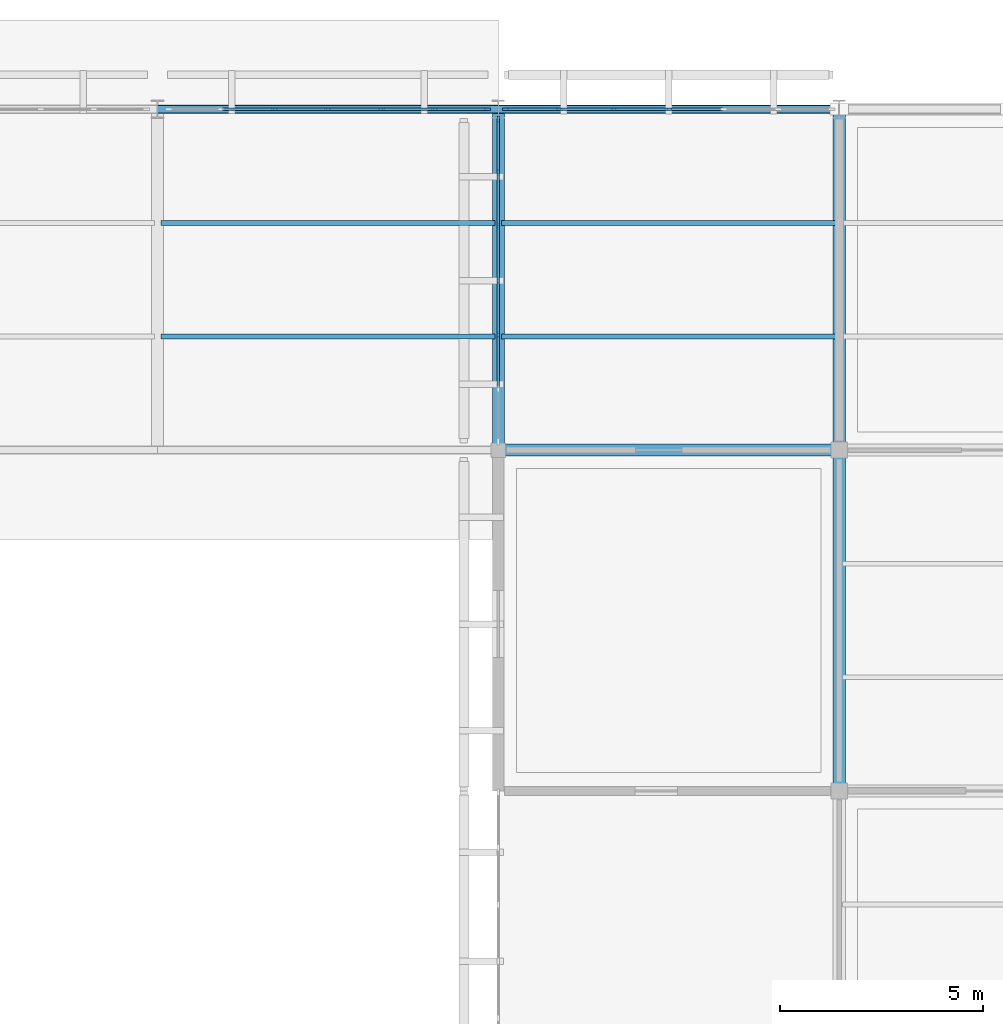
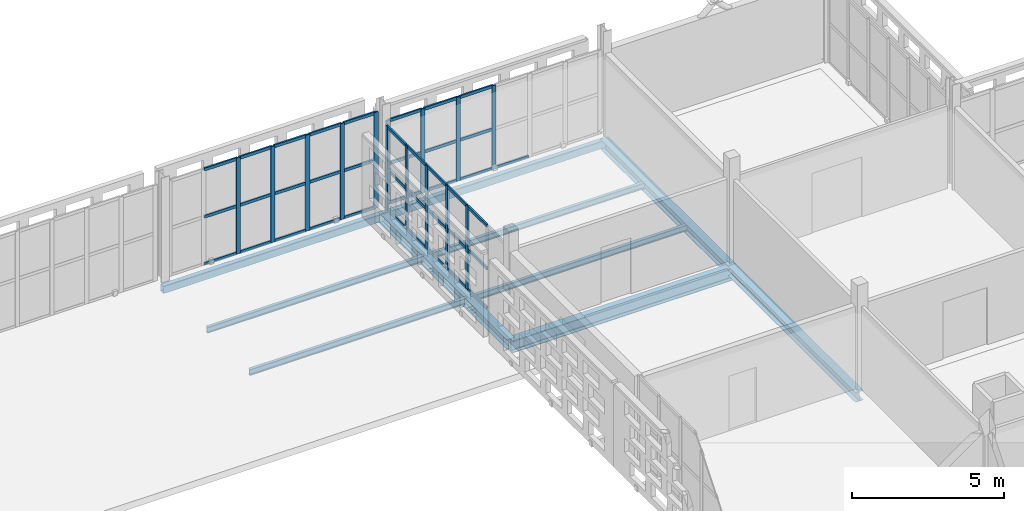
# One storey, part 54 of 166: 54 members, 10 beams, 3 elements without a shape of their own.
"""IFC4 building model written with IfcOpenShell, lengths in metres."""

from ifc_helpers import new_model, si_unit, direction, frame, origin, origin_2d, place, context, subcontext, project, spatial, rectangle, hollow_rectangle, i_section, extrude, material, layer, layer_set, material_profile, profile_set, type_object, element, aggregate, save


model = new_model("IFC4")

# Units and contexts
model_context = context("Model", 3, precision=1e-05, world=origin(), true_north=direction((0.0, 1.0)))
body_context = subcontext(model_context, "Body", "Model", "MODEL_VIEW")
ifc_project = project(units=[si_unit("LENGTHUNIT", "METRE"), si_unit("AREAUNIT", "SQUARE_METRE"), si_unit("VOLUMEUNIT", "CUBIC_METRE"), si_unit("PLANEANGLEUNIT", "RADIAN"), si_unit("MASSUNIT", "GRAM", prefix="KILO")], contexts=[model_context])

# Site, building, storey
site_placement = place(None, origin())
site = spatial("IfcSite", under=ifc_project, at=site_placement, CompositionType="ELEMENT")
building_placement = place(site_placement, origin())
building = spatial("IfcBuilding", under=site, at=building_placement, Name="Varnapada Polytechnic", CompositionType="ELEMENT")
storey_placement = place(building_placement, frame((0.0, 0.0, 9.60009765625)))
storey = spatial("IfcBuildingStorey", under=building, at=storey_placement, Name="L02", CompositionType="ELEMENT", Elevation=9.60009765625)

# Curtain wall, members
ifc_material_1 = material(Name="Double low-E laminated glass", Category="glass")
ifc_layer = layer(ifc_material_1, 0.159912109375)
ifc_layer_set = layer_set([ifc_layer], Name="Double low-E laminated glass")
curtain_wall_type = type_object("IfcCurtainWallType", Name="Curtain Wall CW-02", PredefinedType="NOTDEFINED", material=ifc_layer_set)
curtain_wall_1_placement = place(storey_placement, origin())
curtain_wall_1 = element("IfcCurtainWall", 1, at=curtain_wall_1_placement, inside=storey, type_object=curtain_wall_type, Name="L02 unitised curtain wall CW-02 (178)", PredefinedType="NOTDEFINED")
ifc_material_2 = material(Name="Anodised aluminium", Category="aluminium")
ifc_material_profile_1 = material_profile(ifc_material_2, rectangle(XDim=0.06005859375, YDim=0.159912109375, at=origin_2d()), Name="ALU M60x160")
ifc_profile_set_1 = profile_set([ifc_material_profile_1], Name="Anodised aluminium")
member_type_1 = type_object("IfcMemberType", Name="Mullion M-01", PredefinedType="MULLION", material=ifc_profile_set_1)
member_1_placement = place(storey_placement, frame((117.780029296875, 126.0, 0.0), z_axis=(0.0, 0.0, 1.0), x_axis=(0.0, 1.0, 0.0)))
member_1 = element("IfcMember", 2, at=member_1_placement, type_object=member_type_1, Name="CW-02 mullion 1", PredefinedType="MULLION", context=body_context, shape_type="SweptSolid", body=[
    extrude(rectangle(XDim=0.06005859375, YDim=0.159912109375, at=origin_2d()), origin(), (0.0, 0.0, 1.0), 3.35986328125),
])
member_2_placement = place(storey_placement, frame((119.10009765625, 126.0, 0.0), z_axis=(0.0, 0.0, 1.0), x_axis=(0.0, 1.0, 0.0)))
member_2 = element("IfcMember", 3, at=member_2_placement, type_object=member_type_1, Name="CW-02 mullion 2", PredefinedType="MULLION", context=body_context, shape_type="SweptSolid", body=[
    extrude(rectangle(XDim=0.06005859375, YDim=0.159912109375, at=origin_2d()), origin(), (0.0, 0.0, 1.0), 3.35986328125),
])
member_3_placement = place(storey_placement, frame((120.449951171875, 126.0, 0.0), z_axis=(0.0, 0.0, 1.0), x_axis=(0.0, 1.0, 0.0)))
member_3 = element("IfcMember", 4, at=member_3_placement, type_object=member_type_1, Name="CW-02 mullion 3", PredefinedType="MULLION", context=body_context, shape_type="SweptSolid", body=[
    extrude(rectangle(XDim=0.06005859375, YDim=0.159912109375, at=origin_2d()), origin(), (0.0, 0.0, 1.0), 3.35986328125),
])
member_4_placement = place(storey_placement, frame((121.800048828125, 126.0, 0.0), z_axis=(0.0, 0.0, 1.0), x_axis=(0.0, 1.0, 0.0)))
member_4 = element("IfcMember", 5, at=member_4_placement, type_object=member_type_1, Name="CW-02 mullion 4", PredefinedType="MULLION", context=body_context, shape_type="SweptSolid", body=[
    extrude(rectangle(XDim=0.06005859375, YDim=0.159912109375, at=origin_2d()), origin(), (0.0, 0.0, 1.0), 3.35986328125),
])

curtain_wall_2_placement = place(storey_placement, origin())
curtain_wall_2 = element("IfcCurtainWall", 6, at=curtain_wall_2_placement, inside=storey, type_object=curtain_wall_type, Name="L02 unitised curtain wall CW-02 (179)", PredefinedType="NOTDEFINED")
member_5_placement = place(storey_placement, frame((117.60009765625, 120.445068359375, 0.0), z_axis=(0.0, 0.0, 1.0), x_axis=(-1.0, 0.0, 0.0)))
member_5 = element("IfcMember", 7, at=member_5_placement, type_object=member_type_1, Name="CW-02 mullion 3", PredefinedType="MULLION", context=body_context, shape_type="SweptSolid", body=[
    extrude(rectangle(XDim=0.06005859375, YDim=0.159912109375, at=origin_2d()), origin(), (0.0, 0.0, 1.0), 3.35986328125),
])
member_6_placement = place(storey_placement, frame((117.60009765625, 121.777587890625, 0.0), z_axis=(0.0, 0.0, 1.0), x_axis=(-1.0, 0.0, 0.0)))
member_6 = element("IfcMember", 8, at=member_6_placement, type_object=member_type_1, Name="CW-02 mullion 4", PredefinedType="MULLION", context=body_context, shape_type="SweptSolid", body=[
    extrude(rectangle(XDim=0.06005859375, YDim=0.159912109375, at=origin_2d()), origin(), (0.0, 0.0, 1.0), 3.35986328125),
])
member_7_placement = place(storey_placement, frame((117.60009765625, 123.110107421875, 0.0), z_axis=(0.0, 0.0, 1.0), x_axis=(-1.0, 0.0, 0.0)))
member_7 = element("IfcMember", 9, at=member_7_placement, type_object=member_type_1, Name="CW-02 mullion 5", PredefinedType="MULLION", context=body_context, shape_type="SweptSolid", body=[
    extrude(rectangle(XDim=0.06005859375, YDim=0.159912109375, at=origin_2d()), origin(), (0.0, 0.0, 1.0), 3.35986328125),
])
member_8_placement = place(storey_placement, frame((117.60009765625, 124.4423828125, 0.0), z_axis=(0.0, 0.0, 1.0), x_axis=(-1.0, 0.0, 0.0)))
member_8 = element("IfcMember", 10, at=member_8_placement, type_object=member_type_1, Name="CW-02 mullion 6", PredefinedType="MULLION", context=body_context, shape_type="SweptSolid", body=[
    extrude(rectangle(XDim=0.06005859375, YDim=0.159912109375, at=origin_2d()), origin(), (0.0, 0.0, 1.0), 3.35986328125),
])
member_9_placement = place(storey_placement, frame((117.60009765625, 125.7451171875, 0.0), z_axis=(0.0, 0.0, 1.0), x_axis=(-1.0, 0.0, 0.0)))
member_9 = element("IfcMember", 11, at=member_9_placement, type_object=member_type_1, Name="CW-02 mullion 7", PredefinedType="MULLION", context=body_context, shape_type="SweptSolid", body=[
    extrude(rectangle(XDim=0.06005859375, YDim=0.159912109375, at=origin_2d()), origin(), (0.0, 0.0, 1.0), 3.35986328125),
])

curtain_wall_3_placement = place(storey_placement, origin())
curtain_wall_3 = element("IfcCurtainWall", 12, at=curtain_wall_3_placement, inside=storey, type_object=curtain_wall_type, Name="L02 high-bay workshop north curtain wall 14", PredefinedType="NOTDEFINED")
member_10_placement = place(storey_placement, frame((112.083251953125, 126.0, 0.0), z_axis=(0.0, 0.0, 1.0), x_axis=(0.0, 1.0, 0.0)))
member_10 = element("IfcMember", 13, at=member_10_placement, type_object=member_type_1, Name="CW-02 mullion 3", PredefinedType="MULLION", context=body_context, shape_type="SweptSolid", body=[
    extrude(rectangle(XDim=0.06005859375, YDim=0.159912109375, at=origin_2d()), origin(), (0.0, 0.0, 1.0), 3.849853515625),
])
member_11_placement = place(storey_placement, frame((113.39990234375, 126.0, 0.0), z_axis=(0.0, 0.0, 1.0), x_axis=(0.0, 1.0, 0.0)))
member_11 = element("IfcMember", 14, at=member_11_placement, type_object=member_type_1, Name="CW-02 mullion 4", PredefinedType="MULLION", context=body_context, shape_type="SweptSolid", body=[
    extrude(rectangle(XDim=0.06005859375, YDim=0.159912109375, at=origin_2d()), origin(), (0.0, 0.0, 1.0), 3.849853515625),
])
member_12_placement = place(storey_placement, frame((114.716552734375, 126.0, 0.0), z_axis=(0.0, 0.0, 1.0), x_axis=(0.0, 1.0, 0.0)))
member_12 = element("IfcMember", 15, at=member_12_placement, type_object=member_type_1, Name="CW-02 mullion 5", PredefinedType="MULLION", context=body_context, shape_type="SweptSolid", body=[
    extrude(rectangle(XDim=0.06005859375, YDim=0.159912109375, at=origin_2d()), origin(), (0.0, 0.0, 1.0), 3.849853515625),
])
member_13_placement = place(storey_placement, frame((116.033447265625, 126.0, 0.0), z_axis=(0.0, 0.0, 1.0), x_axis=(0.0, 1.0, 0.0)))
member_13 = element("IfcMember", 16, at=member_13_placement, type_object=member_type_1, Name="CW-02 mullion 6", PredefinedType="MULLION", context=body_context, shape_type="SweptSolid", body=[
    extrude(rectangle(XDim=0.06005859375, YDim=0.159912109375, at=origin_2d()), origin(), (0.0, 0.0, 1.0), 3.849853515625),
])
member_14_placement = place(storey_placement, frame((117.320068359375, 126.0, 0.0), z_axis=(0.0, 0.0, 1.0), x_axis=(0.0, 1.0, 0.0)))
member_14 = element("IfcMember", 17, at=member_14_placement, type_object=member_type_1, Name="CW-02 mullion 7", PredefinedType="MULLION", context=body_context, shape_type="SweptSolid", body=[
    extrude(rectangle(XDim=0.06005859375, YDim=0.159912109375, at=origin_2d()), origin(), (0.0, 0.0, 1.0), 3.849853515625),
])

# Beams
ifc_material_3 = material(Name="Steel S355", Category="steel")
ifc_material_profile_2 = material_profile(ifc_material_3, i_section(OverallWidth=0.300048828125, OverallDepth=0.389892578125, WebThickness=0.010986328125, FlangeThickness=0.01904296875, FilletRadius=0.027099609375, at=origin_2d()), Name="HEA 400")
ifc_profile_set_2 = profile_set([ifc_material_profile_2], Name="Steel S355")
beam_type_1 = type_object("IfcBeamType", Name="Steel roof primary girder SG-01 (HEA 400)", PredefinedType="BEAM", material=ifc_profile_set_2)
beam_1_placement = place(storey_placement, frame((117.60009765625, 117.60009765625, -0.465087890625), z_axis=(0.0, 1.0, 0.0), x_axis=(-1.0, 0.0, 0.0)))
element("IfcBeam", 18, at=beam_1_placement, inside=storey, type_object=beam_type_1, Name="L02 beam Y 15-16 at X15", PredefinedType="BEAM", context=body_context, shape_type="SweptSolid", body=[
    extrude(i_section(OverallWidth=0.300048828125, OverallDepth=0.389892578125, WebThickness=0.010986328125, FlangeThickness=0.01904296875, FilletRadius=0.027099609375, at=origin_2d()), origin(), (0.0, 0.0, 1.0), 8.39990234375),
])
beam_2_placement = place(storey_placement, frame((126.0, 109.199951171875, -0.43505859375), z_axis=(0.0, 1.0, 0.0), x_axis=(-1.0, 0.0, 0.0)))
element("IfcBeam", 19, at=beam_2_placement, inside=storey, type_object=beam_type_1, Name="L02 beam Y 14-15 at X16", PredefinedType="BEAM", context=body_context, shape_type="SweptSolid", body=[
    extrude(i_section(OverallWidth=0.300048828125, OverallDepth=0.389892578125, WebThickness=0.010986328125, FlangeThickness=0.01904296875, FilletRadius=0.027099609375, at=origin_2d()), origin(), (0.0, 0.0, 1.0), 8.400146484375),
])
beam_3_placement = place(storey_placement, frame((126.0, 117.60009765625, -0.43505859375), z_axis=(0.0, 1.0, 0.0), x_axis=(-1.0, 0.0, 0.0)))
element("IfcBeam", 20, at=beam_3_placement, inside=storey, type_object=beam_type_1, Name="L02 beam Y 15-16 at X16", PredefinedType="BEAM", context=body_context, shape_type="SweptSolid", body=[
    extrude(i_section(OverallWidth=0.300048828125, OverallDepth=0.389892578125, WebThickness=0.010986328125, FlangeThickness=0.01904296875, FilletRadius=0.027099609375, at=origin_2d()), origin(), (0.0, 0.0, 1.0), 8.39990234375),
])

# Member
ifc_material_profile_3 = material_profile(ifc_material_2, rectangle(XDim=0.06005859375, YDim=0.1201171875, at=origin_2d()), Name="ALU T60x120")
ifc_profile_set_3 = profile_set([ifc_material_profile_3], Name="Anodised aluminium")
member_type_2 = type_object("IfcMemberType", Name="Transom T-01", PredefinedType="USERDEFINED", material=ifc_profile_set_3)
member_15_placement = place(storey_placement, frame((117.81005859375, 126.0, 0.02978515625), z_axis=(1.0, 0.0, 0.0), x_axis=(0.0, 1.0, 0.0)))
member_15 = element("IfcMember", 21, at=member_15_placement, type_object=member_type_2, Name="CW-02 transom 1.1", ObjectType="TRANSOM", PredefinedType="USERDEFINED", context=body_context, shape_type="SweptSolid", body=[
    extrude(rectangle(XDim=0.06005859375, YDim=0.1201171875, at=origin_2d()), origin(), (0.0, 0.0, 1.0), 1.260009765625),
])

member_16_placement = place(storey_placement, frame((117.81005859375, 126.0, 1.61279296875), z_axis=(1.0, 0.0, 0.0), x_axis=(0.0, 1.0, 0.0)))
member_16 = element("IfcMember", 22, at=member_16_placement, type_object=member_type_2, Name="CW-02 transom 1.2", ObjectType="TRANSOM", PredefinedType="USERDEFINED", context=body_context, shape_type="SweptSolid", body=[
    extrude(rectangle(XDim=0.06005859375, YDim=0.1201171875, at=origin_2d()), origin(), (0.0, 0.0, 1.0), 1.260009765625),
])

member_17_placement = place(storey_placement, frame((117.81005859375, 126.0, 3.329833984375), z_axis=(1.0, 0.0, 0.0), x_axis=(0.0, 1.0, 0.0)))
member_17 = element("IfcMember", 23, at=member_17_placement, type_object=member_type_2, Name="CW-02 transom 1.3", ObjectType="TRANSOM", PredefinedType="USERDEFINED", context=body_context, shape_type="SweptSolid", body=[
    extrude(rectangle(XDim=0.06005859375, YDim=0.1201171875, at=origin_2d()), origin(), (0.0, 0.0, 1.0), 1.260009765625),
])

member_18_placement = place(storey_placement, frame((119.1298828125, 126.0, 0.02978515625), z_axis=(1.0, 0.0, 0.0), x_axis=(0.0, 1.0, 0.0)))
member_18 = element("IfcMember", 24, at=member_18_placement, type_object=member_type_2, Name="CW-02 transom 2.1", ObjectType="TRANSOM", PredefinedType="USERDEFINED", context=body_context, shape_type="SweptSolid", body=[
    extrude(rectangle(XDim=0.06005859375, YDim=0.1201171875, at=origin_2d()), origin(), (0.0, 0.0, 1.0), 1.2900390625),
])

member_19_placement = place(storey_placement, frame((119.1298828125, 126.0, 1.61279296875), z_axis=(1.0, 0.0, 0.0), x_axis=(0.0, 1.0, 0.0)))
member_19 = element("IfcMember", 25, at=member_19_placement, type_object=member_type_2, Name="CW-02 transom 2.2", ObjectType="TRANSOM", PredefinedType="USERDEFINED", context=body_context, shape_type="SweptSolid", body=[
    extrude(rectangle(XDim=0.06005859375, YDim=0.1201171875, at=origin_2d()), origin(), (0.0, 0.0, 1.0), 1.2900390625),
])

member_20_placement = place(storey_placement, frame((119.1298828125, 126.0, 3.329833984375), z_axis=(1.0, 0.0, 0.0), x_axis=(0.0, 1.0, 0.0)))
member_20 = element("IfcMember", 26, at=member_20_placement, type_object=member_type_2, Name="CW-02 transom 2.3", ObjectType="TRANSOM", PredefinedType="USERDEFINED", context=body_context, shape_type="SweptSolid", body=[
    extrude(rectangle(XDim=0.06005859375, YDim=0.1201171875, at=origin_2d()), origin(), (0.0, 0.0, 1.0), 1.2900390625),
])

member_21_placement = place(storey_placement, frame((120.47998046875, 126.0, 0.02978515625), z_axis=(1.0, 0.0, 0.0), x_axis=(0.0, 1.0, 0.0)))
member_21 = element("IfcMember", 27, at=member_21_placement, type_object=member_type_2, Name="CW-02 transom 3.1", ObjectType="TRANSOM", PredefinedType="USERDEFINED", context=body_context, shape_type="SweptSolid", body=[
    extrude(rectangle(XDim=0.06005859375, YDim=0.1201171875, at=origin_2d()), origin(), (0.0, 0.0, 1.0), 1.2900390625),
])

member_22_placement = place(storey_placement, frame((120.47998046875, 126.0, 1.61279296875), z_axis=(1.0, 0.0, 0.0), x_axis=(0.0, 1.0, 0.0)))
member_22 = element("IfcMember", 28, at=member_22_placement, type_object=member_type_2, Name="CW-02 transom 3.2", ObjectType="TRANSOM", PredefinedType="USERDEFINED", context=body_context, shape_type="SweptSolid", body=[
    extrude(rectangle(XDim=0.06005859375, YDim=0.1201171875, at=origin_2d()), origin(), (0.0, 0.0, 1.0), 1.2900390625),
])

member_23_placement = place(storey_placement, frame((120.47998046875, 126.0, 3.329833984375), z_axis=(1.0, 0.0, 0.0), x_axis=(0.0, 1.0, 0.0)))
member_23 = element("IfcMember", 29, at=member_23_placement, type_object=member_type_2, Name="CW-02 transom 3.3", ObjectType="TRANSOM", PredefinedType="USERDEFINED", context=body_context, shape_type="SweptSolid", body=[
    extrude(rectangle(XDim=0.06005859375, YDim=0.1201171875, at=origin_2d()), origin(), (0.0, 0.0, 1.0), 1.2900390625),
])

member_24_placement = place(storey_placement, frame((121.830078125, 126.0, 0.02978515625), z_axis=(1.0, 0.0, 0.0), x_axis=(0.0, 1.0, 0.0)))
member_24 = element("IfcMember", 30, at=member_24_placement, type_object=member_type_2, Name="CW-02 transom 4.1", ObjectType="TRANSOM", PredefinedType="USERDEFINED", context=body_context, shape_type="SweptSolid", body=[
    extrude(rectangle(XDim=0.06005859375, YDim=0.1201171875, at=origin_2d()), origin(), (0.0, 0.0, 1.0), 1.2900390625),
])

aggregate(curtain_wall_1, [member_1, member_2, member_3, member_4, member_15, member_16, member_17, member_18, member_19, member_20, member_21, member_22, member_23, member_24])

member_25_placement = place(storey_placement, frame((117.60009765625, 119.142578125, 0.02978515625), z_axis=(0.0, 1.0, 0.0), x_axis=(-1.0, 0.0, 0.0)))
member_25 = element("IfcMember", 31, at=member_25_placement, type_object=member_type_2, Name="CW-02 transom 2.1", ObjectType="TRANSOM", PredefinedType="USERDEFINED", context=body_context, shape_type="SweptSolid", body=[
    extrude(rectangle(XDim=0.06005859375, YDim=0.1201171875, at=origin_2d()), origin(), (0.0, 0.0, 1.0), 1.2724609375),
])

member_26_placement = place(storey_placement, frame((117.60009765625, 119.142578125, 1.61279296875), z_axis=(0.0, 1.0, 0.0), x_axis=(-1.0, 0.0, 0.0)))
member_26 = element("IfcMember", 32, at=member_26_placement, type_object=member_type_2, Name="CW-02 transom 2.2", ObjectType="TRANSOM", PredefinedType="USERDEFINED", context=body_context, shape_type="SweptSolid", body=[
    extrude(rectangle(XDim=0.06005859375, YDim=0.1201171875, at=origin_2d()), origin(), (0.0, 0.0, 1.0), 1.2724609375),
])

member_27_placement = place(storey_placement, frame((117.60009765625, 119.142578125, 3.329833984375), z_axis=(0.0, 1.0, 0.0), x_axis=(-1.0, 0.0, 0.0)))
member_27 = element("IfcMember", 33, at=member_27_placement, type_object=member_type_2, Name="CW-02 transom 2.3", ObjectType="TRANSOM", PredefinedType="USERDEFINED", context=body_context, shape_type="SweptSolid", body=[
    extrude(rectangle(XDim=0.06005859375, YDim=0.1201171875, at=origin_2d()), origin(), (0.0, 0.0, 1.0), 1.2724609375),
])

member_28_placement = place(storey_placement, frame((117.60009765625, 120.47509765625, 0.02978515625), z_axis=(0.0, 1.0, 0.0), x_axis=(-1.0, 0.0, 0.0)))
member_28 = element("IfcMember", 34, at=member_28_placement, type_object=member_type_2, Name="CW-02 transom 3.1", ObjectType="TRANSOM", PredefinedType="USERDEFINED", context=body_context, shape_type="SweptSolid", body=[
    extrude(rectangle(XDim=0.06005859375, YDim=0.1201171875, at=origin_2d()), origin(), (0.0, 0.0, 1.0), 1.2724609375),
])

member_29_placement = place(storey_placement, frame((117.60009765625, 120.47509765625, 1.61279296875), z_axis=(0.0, 1.0, 0.0), x_axis=(-1.0, 0.0, 0.0)))
member_29 = element("IfcMember", 35, at=member_29_placement, type_object=member_type_2, Name="CW-02 transom 3.2", ObjectType="TRANSOM", PredefinedType="USERDEFINED", context=body_context, shape_type="SweptSolid", body=[
    extrude(rectangle(XDim=0.06005859375, YDim=0.1201171875, at=origin_2d()), origin(), (0.0, 0.0, 1.0), 1.2724609375),
])

member_30_placement = place(storey_placement, frame((117.60009765625, 120.47509765625, 3.329833984375), z_axis=(0.0, 1.0, 0.0), x_axis=(-1.0, 0.0, 0.0)))
member_30 = element("IfcMember", 36, at=member_30_placement, type_object=member_type_2, Name="CW-02 transom 3.3", ObjectType="TRANSOM", PredefinedType="USERDEFINED", context=body_context, shape_type="SweptSolid", body=[
    extrude(rectangle(XDim=0.06005859375, YDim=0.1201171875, at=origin_2d()), origin(), (0.0, 0.0, 1.0), 1.2724609375),
])

member_31_placement = place(storey_placement, frame((117.60009765625, 121.8076171875, 0.02978515625), z_axis=(0.0, 1.0, 0.0), x_axis=(-1.0, 0.0, 0.0)))
member_31 = element("IfcMember", 37, at=member_31_placement, type_object=member_type_2, Name="CW-02 transom 4.1", ObjectType="TRANSOM", PredefinedType="USERDEFINED", context=body_context, shape_type="SweptSolid", body=[
    extrude(rectangle(XDim=0.06005859375, YDim=0.1201171875, at=origin_2d()), origin(), (0.0, 0.0, 1.0), 1.2724609375),
])

member_32_placement = place(storey_placement, frame((117.60009765625, 121.8076171875, 1.61279296875), z_axis=(0.0, 1.0, 0.0), x_axis=(-1.0, 0.0, 0.0)))
member_32 = element("IfcMember", 38, at=member_32_placement, type_object=member_type_2, Name="CW-02 transom 4.2", ObjectType="TRANSOM", PredefinedType="USERDEFINED", context=body_context, shape_type="SweptSolid", body=[
    extrude(rectangle(XDim=0.06005859375, YDim=0.1201171875, at=origin_2d()), origin(), (0.0, 0.0, 1.0), 1.2724609375),
])

member_33_placement = place(storey_placement, frame((117.60009765625, 121.8076171875, 3.329833984375), z_axis=(0.0, 1.0, 0.0), x_axis=(-1.0, 0.0, 0.0)))
member_33 = element("IfcMember", 39, at=member_33_placement, type_object=member_type_2, Name="CW-02 transom 4.3", ObjectType="TRANSOM", PredefinedType="USERDEFINED", context=body_context, shape_type="SweptSolid", body=[
    extrude(rectangle(XDim=0.06005859375, YDim=0.1201171875, at=origin_2d()), origin(), (0.0, 0.0, 1.0), 1.2724609375),
])

member_34_placement = place(storey_placement, frame((117.60009765625, 123.139892578125, 0.02978515625), z_axis=(0.0, 1.0, 0.0), x_axis=(-1.0, 0.0, 0.0)))
member_34 = element("IfcMember", 40, at=member_34_placement, type_object=member_type_2, Name="CW-02 transom 5.1", ObjectType="TRANSOM", PredefinedType="USERDEFINED", context=body_context, shape_type="SweptSolid", body=[
    extrude(rectangle(XDim=0.06005859375, YDim=0.1201171875, at=origin_2d()), origin(), (0.0, 0.0, 1.0), 1.272705078125),
])

member_35_placement = place(storey_placement, frame((117.60009765625, 123.139892578125, 1.61279296875), z_axis=(0.0, 1.0, 0.0), x_axis=(-1.0, 0.0, 0.0)))
member_35 = element("IfcMember", 41, at=member_35_placement, type_object=member_type_2, Name="CW-02 transom 5.2", ObjectType="TRANSOM", PredefinedType="USERDEFINED", context=body_context, shape_type="SweptSolid", body=[
    extrude(rectangle(XDim=0.06005859375, YDim=0.1201171875, at=origin_2d()), origin(), (0.0, 0.0, 1.0), 1.272705078125),
])

member_36_placement = place(storey_placement, frame((117.60009765625, 123.139892578125, 3.329833984375), z_axis=(0.0, 1.0, 0.0), x_axis=(-1.0, 0.0, 0.0)))
member_36 = element("IfcMember", 42, at=member_36_placement, type_object=member_type_2, Name="CW-02 transom 5.3", ObjectType="TRANSOM", PredefinedType="USERDEFINED", context=body_context, shape_type="SweptSolid", body=[
    extrude(rectangle(XDim=0.06005859375, YDim=0.1201171875, at=origin_2d()), origin(), (0.0, 0.0, 1.0), 1.272705078125),
])

member_37_placement = place(storey_placement, frame((117.60009765625, 124.472412109375, 0.02978515625), z_axis=(0.0, 1.0, 0.0), x_axis=(-1.0, 0.0, 0.0)))
member_37 = element("IfcMember", 43, at=member_37_placement, type_object=member_type_2, Name="CW-02 transom 6.1", ObjectType="TRANSOM", PredefinedType="USERDEFINED", context=body_context, shape_type="SweptSolid", body=[
    extrude(rectangle(XDim=0.06005859375, YDim=0.1201171875, at=origin_2d()), origin(), (0.0, 0.0, 1.0), 1.24267578125),
])

member_38_placement = place(storey_placement, frame((117.60009765625, 124.472412109375, 1.61279296875), z_axis=(0.0, 1.0, 0.0), x_axis=(-1.0, 0.0, 0.0)))
member_38 = element("IfcMember", 44, at=member_38_placement, type_object=member_type_2, Name="CW-02 transom 6.2", ObjectType="TRANSOM", PredefinedType="USERDEFINED", context=body_context, shape_type="SweptSolid", body=[
    extrude(rectangle(XDim=0.06005859375, YDim=0.1201171875, at=origin_2d()), origin(), (0.0, 0.0, 1.0), 1.24267578125),
])

member_39_placement = place(storey_placement, frame((117.60009765625, 124.472412109375, 3.329833984375), z_axis=(0.0, 1.0, 0.0), x_axis=(-1.0, 0.0, 0.0)))
member_39 = element("IfcMember", 45, at=member_39_placement, type_object=member_type_2, Name="CW-02 transom 6.3", ObjectType="TRANSOM", PredefinedType="USERDEFINED", context=body_context, shape_type="SweptSolid", body=[
    extrude(rectangle(XDim=0.06005859375, YDim=0.1201171875, at=origin_2d()), origin(), (0.0, 0.0, 1.0), 1.24267578125),
])

aggregate(curtain_wall_2, [member_5, member_6, member_7, member_8, member_9, member_25, member_26, member_27, member_28, member_29, member_30, member_31, member_32, member_33, member_34, member_35, member_36, member_37, member_38, member_39])

member_40_placement = place(storey_placement, frame((110.796630859375, 126.0, 0.02978515625), z_axis=(1.0, 0.0, 0.0), x_axis=(0.0, 1.0, 0.0)))
member_40 = element("IfcMember", 46, at=member_40_placement, type_object=member_type_2, Name="CW-02 transom 2.1", ObjectType="TRANSOM", PredefinedType="USERDEFINED", context=body_context, shape_type="SweptSolid", body=[
    extrude(rectangle(XDim=0.06005859375, YDim=0.1201171875, at=origin_2d()), origin(), (0.0, 0.0, 1.0), 1.256591796875),
])

member_41_placement = place(storey_placement, frame((110.796630859375, 126.0, 1.9248046875), z_axis=(1.0, 0.0, 0.0), x_axis=(0.0, 1.0, 0.0)))
member_41 = element("IfcMember", 47, at=member_41_placement, type_object=member_type_2, Name="CW-02 transom 2.2", ObjectType="TRANSOM", PredefinedType="USERDEFINED", context=body_context, shape_type="SweptSolid", body=[
    extrude(rectangle(XDim=0.06005859375, YDim=0.1201171875, at=origin_2d()), origin(), (0.0, 0.0, 1.0), 1.256591796875),
])

member_42_placement = place(storey_placement, frame((110.796630859375, 126.0, 3.81982421875), z_axis=(1.0, 0.0, 0.0), x_axis=(0.0, 1.0, 0.0)))
member_42 = element("IfcMember", 48, at=member_42_placement, type_object=member_type_2, Name="CW-02 transom 2.3", ObjectType="TRANSOM", PredefinedType="USERDEFINED", context=body_context, shape_type="SweptSolid", body=[
    extrude(rectangle(XDim=0.06005859375, YDim=0.1201171875, at=origin_2d()), origin(), (0.0, 0.0, 1.0), 1.256591796875),
])

member_43_placement = place(storey_placement, frame((112.11328125, 126.0, 0.02978515625), z_axis=(1.0, 0.0, 0.0), x_axis=(0.0, 1.0, 0.0)))
member_43 = element("IfcMember", 49, at=member_43_placement, type_object=member_type_2, Name="CW-02 transom 3.1", ObjectType="TRANSOM", PredefinedType="USERDEFINED", context=body_context, shape_type="SweptSolid", body=[
    extrude(rectangle(XDim=0.06005859375, YDim=0.1201171875, at=origin_2d()), origin(), (0.0, 0.0, 1.0), 1.2568359375),
])

member_44_placement = place(storey_placement, frame((112.11328125, 126.0, 1.9248046875), z_axis=(1.0, 0.0, 0.0), x_axis=(0.0, 1.0, 0.0)))
member_44 = element("IfcMember", 50, at=member_44_placement, type_object=member_type_2, Name="CW-02 transom 3.2", ObjectType="TRANSOM", PredefinedType="USERDEFINED", context=body_context, shape_type="SweptSolid", body=[
    extrude(rectangle(XDim=0.06005859375, YDim=0.1201171875, at=origin_2d()), origin(), (0.0, 0.0, 1.0), 1.2568359375),
])

member_45_placement = place(storey_placement, frame((112.11328125, 126.0, 3.81982421875), z_axis=(1.0, 0.0, 0.0), x_axis=(0.0, 1.0, 0.0)))
member_45 = element("IfcMember", 51, at=member_45_placement, type_object=member_type_2, Name="CW-02 transom 3.3", ObjectType="TRANSOM", PredefinedType="USERDEFINED", context=body_context, shape_type="SweptSolid", body=[
    extrude(rectangle(XDim=0.06005859375, YDim=0.1201171875, at=origin_2d()), origin(), (0.0, 0.0, 1.0), 1.2568359375),
])

member_46_placement = place(storey_placement, frame((113.429931640625, 126.0, 0.02978515625), z_axis=(1.0, 0.0, 0.0), x_axis=(0.0, 1.0, 0.0)))
member_46 = element("IfcMember", 52, at=member_46_placement, type_object=member_type_2, Name="CW-02 transom 4.1", ObjectType="TRANSOM", PredefinedType="USERDEFINED", context=body_context, shape_type="SweptSolid", body=[
    extrude(rectangle(XDim=0.06005859375, YDim=0.1201171875, at=origin_2d()), origin(), (0.0, 0.0, 1.0), 1.2568359375),
])

member_47_placement = place(storey_placement, frame((113.429931640625, 126.0, 1.9248046875), z_axis=(1.0, 0.0, 0.0), x_axis=(0.0, 1.0, 0.0)))
member_47 = element("IfcMember", 53, at=member_47_placement, type_object=member_type_2, Name="CW-02 transom 4.2", ObjectType="TRANSOM", PredefinedType="USERDEFINED", context=body_context, shape_type="SweptSolid", body=[
    extrude(rectangle(XDim=0.06005859375, YDim=0.1201171875, at=origin_2d()), origin(), (0.0, 0.0, 1.0), 1.2568359375),
])

member_48_placement = place(storey_placement, frame((113.429931640625, 126.0, 3.81982421875), z_axis=(1.0, 0.0, 0.0), x_axis=(0.0, 1.0, 0.0)))
member_48 = element("IfcMember", 54, at=member_48_placement, type_object=member_type_2, Name="CW-02 transom 4.3", ObjectType="TRANSOM", PredefinedType="USERDEFINED", context=body_context, shape_type="SweptSolid", body=[
    extrude(rectangle(XDim=0.06005859375, YDim=0.1201171875, at=origin_2d()), origin(), (0.0, 0.0, 1.0), 1.2568359375),
])

member_49_placement = place(storey_placement, frame((114.74658203125, 126.0, 0.02978515625), z_axis=(1.0, 0.0, 0.0), x_axis=(0.0, 1.0, 0.0)))
member_49 = element("IfcMember", 55, at=member_49_placement, type_object=member_type_2, Name="CW-02 transom 5.1", ObjectType="TRANSOM", PredefinedType="USERDEFINED", context=body_context, shape_type="SweptSolid", body=[
    extrude(rectangle(XDim=0.06005859375, YDim=0.1201171875, at=origin_2d()), origin(), (0.0, 0.0, 1.0), 1.2568359375),
])

member_50_placement = place(storey_placement, frame((114.74658203125, 126.0, 1.9248046875), z_axis=(1.0, 0.0, 0.0), x_axis=(0.0, 1.0, 0.0)))
member_50 = element("IfcMember", 56, at=member_50_placement, type_object=member_type_2, Name="CW-02 transom 5.2", ObjectType="TRANSOM", PredefinedType="USERDEFINED", context=body_context, shape_type="SweptSolid", body=[
    extrude(rectangle(XDim=0.06005859375, YDim=0.1201171875, at=origin_2d()), origin(), (0.0, 0.0, 1.0), 1.2568359375),
])

member_51_placement = place(storey_placement, frame((114.74658203125, 126.0, 3.81982421875), z_axis=(1.0, 0.0, 0.0), x_axis=(0.0, 1.0, 0.0)))
member_51 = element("IfcMember", 57, at=member_51_placement, type_object=member_type_2, Name="CW-02 transom 5.3", ObjectType="TRANSOM", PredefinedType="USERDEFINED", context=body_context, shape_type="SweptSolid", body=[
    extrude(rectangle(XDim=0.06005859375, YDim=0.1201171875, at=origin_2d()), origin(), (0.0, 0.0, 1.0), 1.2568359375),
])

member_52_placement = place(storey_placement, frame((116.063232421875, 126.0, 0.02978515625), z_axis=(1.0, 0.0, 0.0), x_axis=(0.0, 1.0, 0.0)))
member_52 = element("IfcMember", 58, at=member_52_placement, type_object=member_type_2, Name="CW-02 transom 6.1", ObjectType="TRANSOM", PredefinedType="USERDEFINED", context=body_context, shape_type="SweptSolid", body=[
    extrude(rectangle(XDim=0.06005859375, YDim=0.1201171875, at=origin_2d()), origin(), (0.0, 0.0, 1.0), 1.226806640625),
])

member_53_placement = place(storey_placement, frame((116.063232421875, 126.0, 1.9248046875), z_axis=(1.0, 0.0, 0.0), x_axis=(0.0, 1.0, 0.0)))
member_53 = element("IfcMember", 59, at=member_53_placement, type_object=member_type_2, Name="CW-02 transom 6.2", ObjectType="TRANSOM", PredefinedType="USERDEFINED", context=body_context, shape_type="SweptSolid", body=[
    extrude(rectangle(XDim=0.06005859375, YDim=0.1201171875, at=origin_2d()), origin(), (0.0, 0.0, 1.0), 1.226806640625),
])

member_54_placement = place(storey_placement, frame((116.063232421875, 126.0, 3.81982421875), z_axis=(1.0, 0.0, 0.0), x_axis=(0.0, 1.0, 0.0)))
member_54 = element("IfcMember", 60, at=member_54_placement, type_object=member_type_2, Name="CW-02 transom 6.3", ObjectType="TRANSOM", PredefinedType="USERDEFINED", context=body_context, shape_type="SweptSolid", body=[
    extrude(rectangle(XDim=0.06005859375, YDim=0.1201171875, at=origin_2d()), origin(), (0.0, 0.0, 1.0), 1.226806640625),
])

aggregate(curtain_wall_3, [member_10, member_11, member_12, member_13, member_14, member_40, member_41, member_42, member_43, member_44, member_45, member_46, member_47, member_48, member_49, member_50, member_51, member_52, member_53, member_54])

# Beams
ifc_material_profile_4 = material_profile(ifc_material_3, i_section(OverallWidth=0.1201171875, OverallDepth=0.239990234375, WebThickness=0.006103515625, FlangeThickness=0.009765625, FilletRadius=0.014892578125, at=origin_2d()), Name="IPE 240")
ifc_profile_set_4 = profile_set([ifc_material_profile_4], Name="Steel S355")
beam_type_2 = type_object("IfcBeamType", Name="Workshop gallery composite joist SJ-01 (IPE 240)", PredefinedType="JOIST", material=ifc_profile_set_4)
for number, where, z_axis, x_axis, name in (
    (61, (109.280029296875, 120.39990234375, -0.39013671875), (1.0, 0.0, 0.0), (0.0, 1.0, 0.0), "L02 floor joist 14/15.1"),
    (62, (109.280029296875, 123.199951171875, -0.39013671875), (1.0, 0.0, 0.0), (0.0, 1.0, 0.0), "L02 floor joist 14/15.2"),
    (63, (117.679931640625, 120.39990234375, -0.39013671875), (1.0, 0.0, 0.0), (0.0, 1.0, 0.0), "L02 floor joist 15/15.1"),
    (64, (117.679931640625, 123.199951171875, -0.39013671875), (1.0, 0.0, 0.0), (0.0, 1.0, 0.0), "L02 floor joist 15/15.2"),
):
    element("IfcBeam", number, at=place(storey_placement, frame(where, z_axis=z_axis, x_axis=x_axis)), inside=storey, type_object=beam_type_2, Name=name, PredefinedType="JOIST", context=body_context, shape_type="SweptSolid", body=[
        extrude(i_section(OverallWidth=0.1201171875, OverallDepth=0.239990234375, WebThickness=0.006103515625, FlangeThickness=0.009765625, FilletRadius=0.014892578125, at=origin_2d()), origin(), (0.0, 0.0, 1.0), 8.239990234375),
    ])
ifc_material_profile_5 = material_profile(ifc_material_3, i_section(OverallWidth=0.300048828125, OverallDepth=0.489990234375, WebThickness=0.011962890625, FlangeThickness=0.02294921875, FilletRadius=0.027099609375, at=origin_2d()), Name="HEA 500")
ifc_profile_set_5 = profile_set([ifc_material_profile_5], Name="Steel S355")
beam_type_3 = type_object("IfcBeamType", Name="Workshop gallery edge girder CR-02 (HEA 500)", PredefinedType="BEAM", material=ifc_profile_set_5)
beam_4_placement = place(storey_placement, frame((117.60009765625, 117.60009765625, -0.51513671875), z_axis=(1.0, 0.0, 0.0), x_axis=(0.0, 1.0, 0.0)))
element("IfcBeam", 65, at=beam_4_placement, inside=storey, type_object=beam_type_3, Name="L02 beam X 15-16 at Y15", PredefinedType="BEAM", context=body_context, shape_type="SweptSolid", body=[
    extrude(i_section(OverallWidth=0.300048828125, OverallDepth=0.489990234375, WebThickness=0.011962890625, FlangeThickness=0.02294921875, FilletRadius=0.027099609375, at=origin_2d()), origin(), (0.0, 0.0, 1.0), 8.39990234375),
])
ifc_material_profile_6 = material_profile(ifc_material_3, hollow_rectangle(XDim=0.199951171875, YDim=0.300048828125, WallThickness=0.010009765625, InnerFilletRadius=0.010009765625, OuterFilletRadius=0.02001953125, at=origin_2d()), Name="RHS 300x200x10")
ifc_profile_set_6 = profile_set([ifc_material_profile_6], Name="Steel S355")
beam_type_4 = type_object("IfcBeamType", Name="Workshop steel spandrel tie SP-03 (RHS 300x200x10)", PredefinedType="SPANDREL", material=ifc_profile_set_6)
beam_5_placement = place(storey_placement, frame((109.199951171875, 126.0, -0.420166015625), z_axis=(1.0, 0.0, 0.0), x_axis=(0.0, 1.0, 0.0)))
element("IfcBeam", 66, at=beam_5_placement, inside=storey, type_object=beam_type_4, Name="L02 beam X 14-15 at Y16", PredefinedType="SPANDREL", context=body_context, shape_type="SweptSolid", body=[
    extrude(hollow_rectangle(XDim=0.199951171875, YDim=0.300048828125, WallThickness=0.010009765625, InnerFilletRadius=0.010009765625, OuterFilletRadius=0.02001953125, at=origin_2d()), origin(), (0.0, 0.0, 1.0), 8.400146484375),
])
beam_6_placement = place(storey_placement, frame((117.60009765625, 126.0, -0.420166015625), z_axis=(1.0, 0.0, 0.0), x_axis=(0.0, 1.0, 0.0)))
element("IfcBeam", 67, at=beam_6_placement, inside=storey, type_object=beam_type_4, Name="L02 beam X 15-16 at Y16", PredefinedType="SPANDREL", context=body_context, shape_type="SweptSolid", body=[
    extrude(hollow_rectangle(XDim=0.199951171875, YDim=0.300048828125, WallThickness=0.010009765625, InnerFilletRadius=0.010009765625, OuterFilletRadius=0.02001953125, at=origin_2d()), origin(), (0.0, 0.0, 1.0), 8.39990234375),
])

save(model, "model.ifc")
